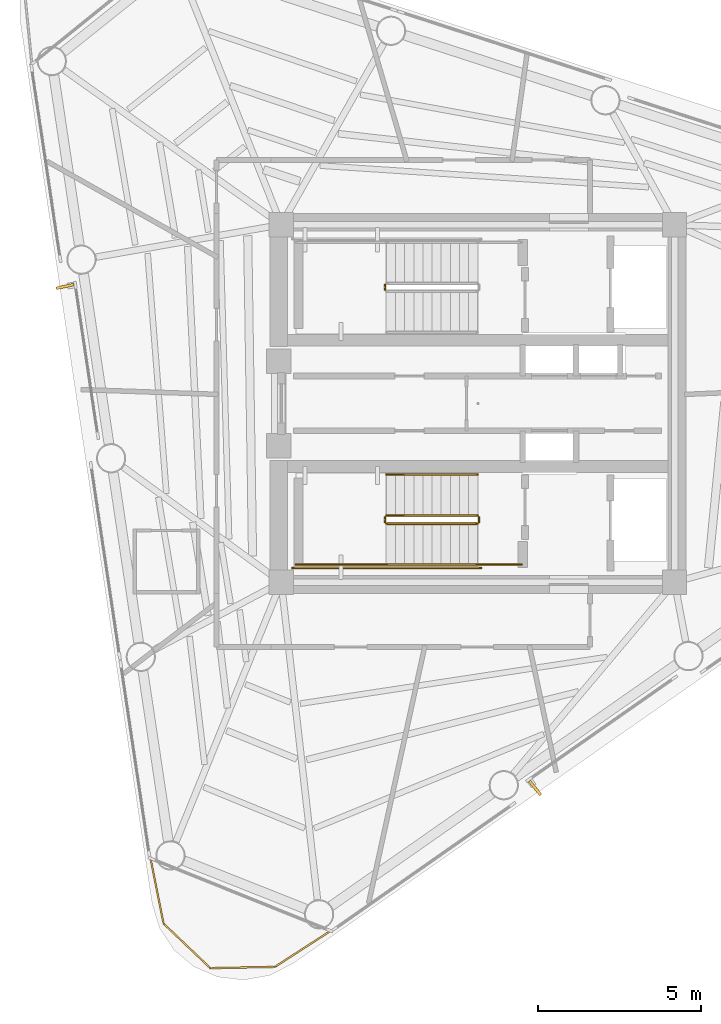
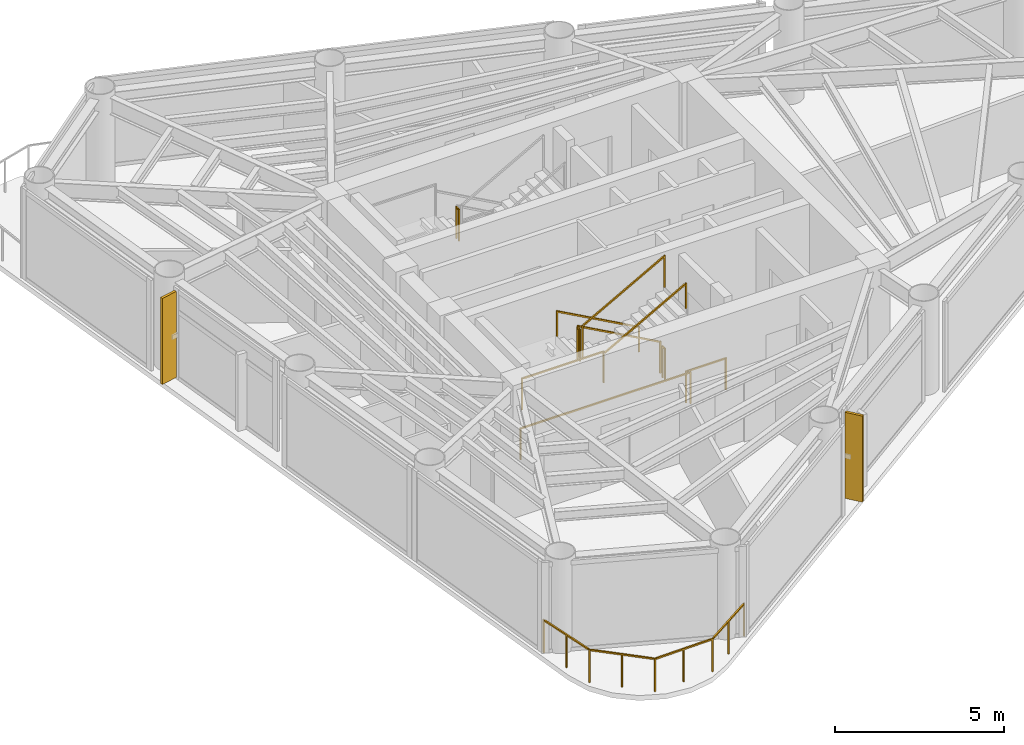
# One storey, part 7 of 9: 11 railings, 2 shading devices.
"""IFC4 building model written with IfcOpenShell, lengths in metres."""

from ifc_helpers import new_model, si_unit, direction, frame, origin, origin_2d, place, context, subcontext, project, spatial, rectangle, extrude, source, transform, mapped, material, material_profile, profile_set, type_object, element, save


model = new_model("IFC4")

# Units and contexts
model_context = context("Model", 3, precision=1e-05, world=origin(), true_north=direction((0.0, 1.0)))
body_context = subcontext(model_context, "Body", "Model", "MODEL_VIEW")
ifc_project = project(units=[si_unit("LENGTHUNIT", "METRE"), si_unit("AREAUNIT", "SQUARE_METRE"), si_unit("VOLUMEUNIT", "CUBIC_METRE"), si_unit("PLANEANGLEUNIT", "RADIAN"), si_unit("MASSUNIT", "GRAM", prefix="KILO")], contexts=[model_context])

# Site, building, storey
site_placement = place(None, origin())
site = spatial("IfcSite", under=ifc_project, at=site_placement, CompositionType="ELEMENT")
building_placement = place(site_placement, origin())
building = spatial("IfcBuilding", under=site, at=building_placement, Name="Yunling Apex Tower", CompositionType="ELEMENT")
storey_placement = place(building_placement, frame((0.0, 0.0, 264.35009765625)))
storey = spatial("IfcBuildingStorey", under=building, at=storey_placement, Name="L64", CompositionType="ELEMENT", Elevation=264.35009765625)

# Railings
ifc_material_1 = material(Name="Bronze anodised aluminium", Category="aluminium")
railing_type_1 = type_object("IfcRailingType", Name="RL-BAL-1200", PredefinedType="BALUSTRADE", material=ifc_material_1)
railing_1_placement = place(storey_placement, frame((-4.528564453125, -16.22509765625, 0.0)))
element("IfcRailing", 1, at=railing_1_placement, inside=storey, type_object=railing_type_1, Name="RL-CRNSILL-L64-3", PredefinedType="BALUSTRADE", context=body_context, shape_type="SweptSolid", body=[
    extrude(rectangle(XDim=0.0439453125, YDim=0.0439453125, at=origin_2d()), origin(), (0.0, 0.0, 1.0), 1.199951171875),
    extrude(rectangle(XDim=0.0439453125, YDim=0.0439453125, at=origin_2d()), frame((-1.718017578125, -1.109130859375, 0.0)), (0.0, 0.0, 1.0), 1.199951171875),
    extrude(rectangle(XDim=0.050048828125, YDim=0.050048828125, at=origin_2d()), frame((-0.0322265625, -0.020751953125, 1.1748046875), z_axis=(-0.840133449473, -0.542379744345, 0.0), x_axis=(0.542379744345, -0.840133449473, 0.0)), (0.0, 0.0, 1.0), 1.96826171875),
    extrude(rectangle(XDim=0.0439453125, YDim=0.0439453125, at=origin_2d()), frame((-0.85888671875, -0.5546875, 0.0)), (0.0, 0.0, 1.0), 1.14599609375),
    extrude(rectangle(XDim=0.0439453125, YDim=0.0439453125, at=origin_2d()), frame((-3.700439453125, -1.147705078125, 0.0)), (0.0, 0.0, 1.0), 1.199951171875),
    extrude(rectangle(XDim=0.050048828125, YDim=0.050048828125, at=origin_2d()), frame((-1.75634765625, -1.10986328125, 1.1748046875), z_axis=(-0.999810744366, -0.019454445518, 0.0), x_axis=(0.019454445518, -0.999810744366, 0.0)), (0.0, 0.0, 1.0), 1.90625),
    extrude(rectangle(XDim=0.0439453125, YDim=0.0439453125, at=origin_2d()), frame((-2.709228515625, -1.12841796875, 0.0)), (0.0, 0.0, 1.0), 1.14599609375),
    extrude(rectangle(XDim=0.0439453125, YDim=0.0439453125, at=origin_2d()), frame((-5.141845703125, 0.223388671875, 0.0)), (0.0, 0.0, 1.0), 1.199951171875),
    extrude(rectangle(XDim=0.050048828125, YDim=0.050048828125, at=origin_2d()), frame((-3.728271484375, -1.121337890625, 1.1748046875), z_axis=(-0.72455806169, 0.689213765998, 0.0), x_axis=(-0.689213765998, -0.72455806169, 0.0)), (0.0, 0.0, 1.0), 1.91259765625),
    extrude(rectangle(XDim=0.0439453125, YDim=0.0439453125, at=origin_2d()), frame((-4.421142578125, -0.462158203125, 0.0)), (0.0, 0.0, 1.0), 1.14599609375),
    extrude(rectangle(XDim=0.0439453125, YDim=0.0439453125, at=origin_2d()), frame((-5.542236328125, 2.228271484375, 0.0)), (0.0, 0.0, 1.0), 1.199951171875),
    extrude(rectangle(XDim=0.050048828125, YDim=0.050048828125, at=origin_2d()), frame((-5.1494140625, 0.260986328125, 1.1748046875), z_axis=(-0.195840554381, 0.980635751571, 0.0), x_axis=(-0.980635751571, -0.195840554381, 0.0)), (0.0, 0.0, 1.0), 1.9677734375),
    extrude(rectangle(XDim=0.0439453125, YDim=0.0439453125, at=origin_2d()), frame((-5.342041015625, 1.225830078125, 0.0)), (0.0, 0.0, 1.0), 1.14599609375),
])
ifc_material_2 = material(Name="Steel Q355B", Category="steel")
railing_type_2 = type_object("IfcRailingType", Name="RL-GRD-1150", PredefinedType="GUARDRAIL", material=ifc_material_2)
railing_2_placement = place(storey_placement, frame((-2.860107421875, 3.64990234375, 1.699951171875)))
element("IfcRailing", 2, at=railing_2_placement, inside=storey, type_object=railing_type_2, Name="L64 ST-1 stair guard 2", PredefinedType="GUARDRAIL", context=body_context, shape_type="SweptSolid", body=[
    extrude(rectangle(XDim=0.0439453125, YDim=0.0439453125, at=origin_2d()), origin(), (0.0, 0.0, 1.0), 1.14990234375),
    extrude(rectangle(XDim=0.0439453125, YDim=0.0439453125, at=origin_2d()), frame((0.0, -0.14990234375, 0.0)), (0.0, 0.0, 1.0), 1.14990234375),
    extrude(rectangle(XDim=0.050048828125, YDim=0.050048828125, at=origin_2d()), frame((0.0, -0.038330078125, 1.125), z_axis=(0.0, -1.0, 0.0), x_axis=(1.0, 0.0, 0.0)), (0.0, 0.0, 1.0), 0.0732421875),
])
railing_3_placement = place(storey_placement, frame((-0.010009765625, -3.449951171875, 0.154541015625)))
element("IfcRailing", 3, at=railing_3_placement, inside=storey, type_object=railing_type_2, Name="L64 ST-2 stair guard 1", PredefinedType="GUARDRAIL", context=body_context, shape_type="SweptSolid", body=[
    extrude(rectangle(XDim=0.0439453125, YDim=0.0439453125, at=origin_2d()), origin(), (0.0, 0.0, 1.0), 1.14990234375),
    extrude(rectangle(XDim=0.0439453125, YDim=0.0439453125, at=origin_2d()), frame((-2.800048828125, 0.0, 1.54541015625)), (0.0, 0.0, 1.0), 1.14990234375),
    extrude(rectangle(XDim=0.050048828125, YDim=0.050048828125, at=origin_2d()), frame((-0.033447265625, 0.0, 1.143310546875), z_axis=(-0.875504190374, 0.0, 0.483210526207), x_axis=(0.0, -1.0, 0.0)), (0.0, 0.0, 1.0), 3.12158203125),
])
railing_4_placement = place(storey_placement, frame((-2.860107421875, -3.5, 1.699951171875)))
element("IfcRailing", 4, at=railing_4_placement, inside=storey, type_object=railing_type_2, Name="L64 ST-2 stair guard 2", PredefinedType="GUARDRAIL", context=body_context, shape_type="SweptSolid", body=[
    extrude(rectangle(XDim=0.0439453125, YDim=0.0439453125, at=origin_2d()), origin(), (0.0, 0.0, 1.0), 1.14990234375),
    extrude(rectangle(XDim=0.0439453125, YDim=0.0439453125, at=origin_2d()), frame((0.0, -0.14990234375, 0.0)), (0.0, 0.0, 1.0), 1.14990234375),
    extrude(rectangle(XDim=0.050048828125, YDim=0.050048828125, at=origin_2d()), frame((0.0, -0.038330078125, 1.125), z_axis=(0.0, -1.0, 0.0), x_axis=(1.0, 0.0, 0.0)), (0.0, 0.0, 1.0), 0.0732421875),
])
railing_5_placement = place(storey_placement, frame((-2.81005859375, -4.9599609375, 1.699951171875)))
element("IfcRailing", 5, at=railing_5_placement, inside=storey, type_object=railing_type_2, Name="L64 ST-2 stair guard 3", PredefinedType="GUARDRAIL", context=body_context, shape_type="SweptSolid", body=[
    extrude(rectangle(XDim=0.0439453125, YDim=0.0439453125, at=origin_2d()), origin(), (0.0, 0.0, 1.0), 1.14990234375),
    extrude(rectangle(XDim=0.0439453125, YDim=0.0439453125, at=origin_2d()), frame((-2.7900390625, 0.0, 0.0)), (0.0, 0.0, 1.0), 1.14990234375),
    extrude(rectangle(XDim=0.050048828125, YDim=0.050048828125, at=origin_2d()), frame((-0.038330078125, 0.0, 1.125), z_axis=(-1.0, 0.0, 0.0), x_axis=(0.0, -1.0, 0.0)), (0.0, 0.0, 1.0), 2.71337890625),
])
railing_6_placement = place(storey_placement, frame((-2.81005859375, -3.699951171875, 1.8544921875)))
element("IfcRailing", 6, at=railing_6_placement, inside=storey, type_object=railing_type_2, Name="L64 ST-2 stair guard 4", PredefinedType="GUARDRAIL", context=body_context, shape_type="SweptSolid", body=[
    extrude(rectangle(XDim=0.0439453125, YDim=0.0439453125, at=origin_2d()), origin(), (0.0, 0.0, 1.0), 1.14990234375),
    extrude(rectangle(XDim=0.0439453125, YDim=0.0439453125, at=origin_2d()), frame((2.800048828125, 0.0, 1.54541015625)), (0.0, 0.0, 1.0), 1.14990234375),
    extrude(rectangle(XDim=0.050048828125, YDim=0.050048828125, at=origin_2d()), frame((0.033447265625, 0.0, 1.143310546875), z_axis=(0.875504190374, 0.0, 0.483210526207), x_axis=(0.0, 1.0, 0.0)), (0.0, 0.0, 1.0), 3.12158203125),
])
railing_7_placement = place(storey_placement, frame((0.0400390625, -3.5, 0.0)))
element("IfcRailing", 7, at=railing_7_placement, inside=storey, type_object=railing_type_2, Name="L64 ST-2 stair guard 5", PredefinedType="GUARDRAIL", context=body_context, shape_type="SweptSolid", body=[
    extrude(rectangle(XDim=0.0439453125, YDim=0.0439453125, at=origin_2d()), origin(), (0.0, 0.0, 1.0), 1.14990234375),
    extrude(rectangle(XDim=0.0439453125, YDim=0.0439453125, at=origin_2d()), frame((0.0, -0.14990234375, 0.0)), (0.0, 0.0, 1.0), 1.14990234375),
    extrude(rectangle(XDim=0.050048828125, YDim=0.050048828125, at=origin_2d()), frame((0.0, -0.038330078125, 1.125), z_axis=(0.0, -1.0, 0.0), x_axis=(1.0, 0.0, 0.0)), (0.0, 0.0, 1.0), 0.0732421875),
])
railing_8_placement = place(storey_placement, frame((1.35009765625, -4.9599609375, 0.0)))
element("IfcRailing", 8, at=railing_8_placement, inside=storey, type_object=railing_type_2, Name="L64 ST-2 stair guard 6", PredefinedType="GUARDRAIL", context=body_context, shape_type="SweptSolid", body=[
    extrude(rectangle(XDim=0.0439453125, YDim=0.0439453125, at=origin_2d()), origin(), (0.0, 0.0, 1.0), 1.14990234375),
    extrude(rectangle(XDim=0.0439453125, YDim=0.0439453125, at=origin_2d()), frame((-1.360107421875, 0.0, 0.0)), (0.0, 0.0, 1.0), 1.14990234375),
    extrude(rectangle(XDim=0.050048828125, YDim=0.050048828125, at=origin_2d()), frame((-0.038330078125, 0.0, 1.125), z_axis=(-1.0, 0.0, 0.0), x_axis=(0.0, -1.0, 0.0)), (0.0, 0.0, 1.0), 1.283447265625),
])
railing_9_placement = place(storey_placement, frame((0.090087890625, -5.06005859375, 0.0)))
element("IfcRailing", 9, at=railing_9_placement, inside=storey, type_object=railing_type_2, Name="L64 ST-2 stair guard 7", PredefinedType="GUARDRAIL", context=body_context, shape_type="SweptSolid", body=[
    extrude(rectangle(XDim=0.0439453125, YDim=0.0439453125, at=origin_2d()), origin(), (0.0, 0.0, 1.0), 1.14990234375),
    extrude(rectangle(XDim=0.0439453125, YDim=0.0439453125, at=origin_2d()), frame((-5.7900390625, 0.0, 0.0)), (0.0, 0.0, 1.0), 1.14990234375),
    extrude(rectangle(XDim=0.050048828125, YDim=0.050048828125, at=origin_2d()), frame((-0.038330078125, 0.0, 1.125), z_axis=(-1.0, 0.0, 0.0), x_axis=(0.0, -1.0, 0.0)), (0.0, 0.0, 1.0), 5.71337890625),
])
ifc_material_3 = material(Name="Silver anodised aluminium", Category="aluminium")
railing_type_3 = type_object("IfcRailingType", Name="RL-HND-900", PredefinedType="HANDRAIL", material=ifc_material_3)
railing_10_placement = place(storey_placement, frame((-0.010009765625, -2.18994140625, 0.154541015625)))
element("IfcRailing", 10, at=railing_10_placement, inside=storey, type_object=railing_type_3, Name="L64 ST-2 stair handrail 1", PredefinedType="HANDRAIL", context=body_context, shape_type="SweptSolid", body=[
    extrude(rectangle(XDim=0.0439453125, YDim=0.0439453125, at=origin_2d()), origin(), (0.0, 0.0, 1.0), 0.919921875),
    extrude(rectangle(XDim=0.0439453125, YDim=0.0439453125, at=origin_2d()), frame((-2.800048828125, 0.0, 1.54541015625)), (0.0, 0.0, 1.0), 0.919921875),
    extrude(rectangle(XDim=0.050048828125, YDim=0.050048828125, at=origin_2d()), frame((-0.033447265625, 0.0, 0.913330078125), z_axis=(-0.875504190374, 0.0, 0.483210526207), x_axis=(0.0, -1.0, 0.0)), (0.0, 0.0, 1.0), 3.12158203125),
])
railing_11_placement = place(storey_placement, frame((-2.81005859375, -4.9599609375, 1.8544921875)))
element("IfcRailing", 11, at=railing_11_placement, inside=storey, type_object=railing_type_3, Name="L64 ST-2 stair handrail 2", PredefinedType="HANDRAIL", context=body_context, shape_type="SweptSolid", body=[
    extrude(rectangle(XDim=0.0439453125, YDim=0.0439453125, at=origin_2d()), origin(), (0.0, 0.0, 1.0), 0.919921875),
    extrude(rectangle(XDim=0.0439453125, YDim=0.0439453125, at=origin_2d()), frame((2.800048828125, 0.0, 1.54541015625)), (0.0, 0.0, 1.0), 0.919921875),
    extrude(rectangle(XDim=0.050048828125, YDim=0.050048828125, at=origin_2d()), frame((0.033447265625, 0.0, 0.913330078125), z_axis=(0.875504190374, 0.0, 0.483210526207), x_axis=(0.0, 1.0, 0.0)), (0.0, 0.0, 1.0), 3.12158203125),
])

# Shading devices
ifc_material_profile = material_profile(ifc_material_1, rectangle(XDim=0.0849609375, YDim=0.550048828125, at=origin_2d()))
ifc_profile_set = profile_set([ifc_material_profile], Name="Bronze anodised aluminium")
shading_device_type = type_object("IfcShadingDeviceType", Name="FN-BRZ-3", PredefinedType="USERDEFINED", material=ifc_profile_set)
shared_shape = source(origin(), body_context, "Body", "SweptSolid", [
    extrude(rectangle(XDim=0.0849609375, YDim=0.550048828125, at=origin_2d()), origin(), (0.0, 0.0, 1.0), 3.10009765625),
])
for number, where, z_axis, x_axis, name in (
    (12, (1.76171875, -11.8330078125, 0.059814453125), (0.0, 0.0, 1.0), (0.780321270022, 0.625378857614, 0.0), "CW-L64-F1-B2-FIN-01"),
    (13, (-12.705322265625, 3.598876953125, 0.059814453125), (0.0, 0.0, 1.0), (0.212177672156, -0.977231106463, 0.0), "CW-L64-F3-B2-FIN-01"),
):
    element("IfcShadingDevice", number, at=place(storey_placement, frame(where, z_axis=z_axis, x_axis=x_axis)), inside=storey, type_object=shading_device_type, Name=name, ObjectType="FIN", PredefinedType="USERDEFINED", context=body_context, shape_type="MappedRepresentation", body=[
        mapped(shared_shape, transform((0.0, 0.0, 0.0), scale=1.0)),
    ])

save(model, "model.ifc")
